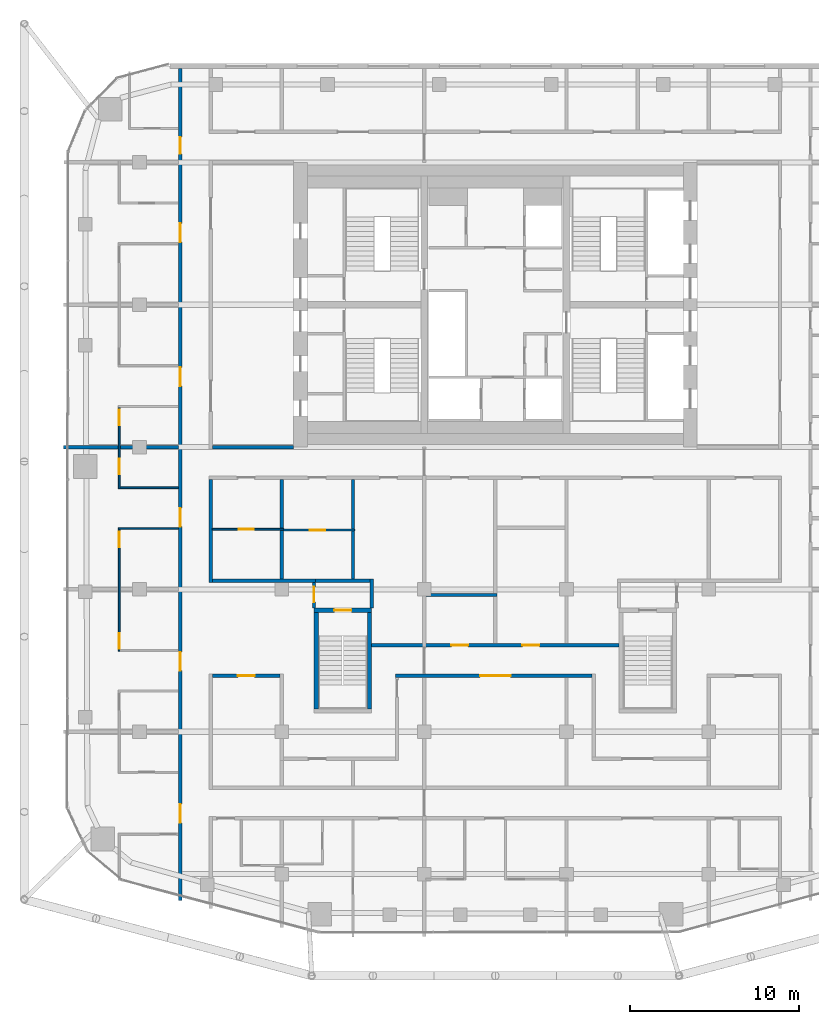
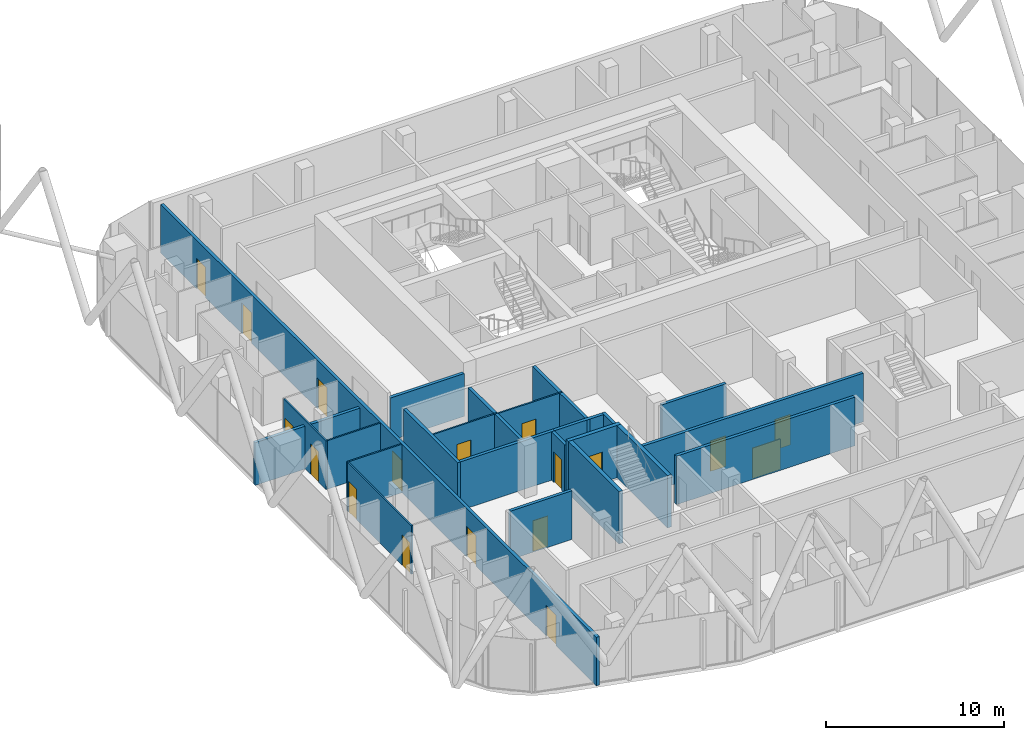
# One storey, part 21 of 28: 23 walls, 18 doors, 18 openings.
"""IFC4 building model written with IfcOpenShell, lengths in metres."""

from ifc_helpers import new_model, si_unit, direction, frame, frame_2d, origin, place, context, subcontext, project, spatial, rectangle, extrude, material, layer, layer_set, type_object, element, fill, save


model = new_model("IFC4")

# Units and contexts
model_context = context("Model", 3, precision=1e-05, world=origin(), true_north=direction((0.0, 1.0)))
body_context = subcontext(model_context, "Body", "Model", "MODEL_VIEW")
ifc_project = project(units=[si_unit("LENGTHUNIT", "METRE"), si_unit("AREAUNIT", "SQUARE_METRE"), si_unit("VOLUMEUNIT", "CUBIC_METRE"), si_unit("PLANEANGLEUNIT", "RADIAN"), si_unit("MASSUNIT", "GRAM", prefix="KILO")], contexts=[model_context])

# Site, building, storey
site_placement = place(None, origin())
site = spatial("IfcSite", under=ifc_project, at=site_placement, CompositionType="ELEMENT")
building_placement = place(site_placement, origin())
building = spatial("IfcBuilding", under=site, at=building_placement, Name="Marenta Gate Hotel Tower", CompositionType="ELEMENT")
storey_placement = place(building_placement, frame((0.0, 0.0, 241.699951171875)))
storey = spatial("IfcBuildingStorey", under=building, at=storey_placement, Name="L57", CompositionType="ELEMENT", Elevation=241.699951171875)

# Wall
ifc_material_1 = material(Name="Concrete blockwork", Category="masonry")
ifc_layer_1 = layer(ifc_material_1, 0.199951171875)
ifc_layer_set_1 = layer_set([ifc_layer_1], Name="Concrete blockwork")
wall_type_1 = type_object("IfcWallType", Name="Core boundary wall 200 REI 180", PredefinedType="PARTITIONING", material=ifc_layer_set_1)
wall_1_placement = place(storey_placement, frame((-16.699951171875, 0.0, 0.0), z_axis=(0.0, 0.0, 1.0), x_axis=(1.0, 0.0, 0.0)))
element("IfcWall", 1, at=wall_1_placement, inside=storey, type_object=wall_type_1, Name="L57-CP-EW-WS", PredefinedType="PARTITIONING", context=body_context, shape_type="SweptSolid", body=[
    extrude(rectangle(XDim=4.800048828125, YDim=0.199951171875, at=frame_2d((2.39990234375, 0.0))), origin(), (0.0, 0.0, 1.0), 2.93994140625),
])

# Wall, opening, door
ifc_material_2 = material(Name="Concrete C40", Category="concrete")
ifc_layer_2 = layer(ifc_material_2, 0.25)
ifc_layer_set_2 = layer_set([ifc_layer_2], Name="Concrete C40")
wall_type_2 = type_object("IfcWallType", Name="Remote stair enclosure wall 250 REI 180", PredefinedType="SHEAR", material=ifc_layer_set_2)
wall_2_placement = place(storey_placement, frame((-10.699951171875, -9.625, 0.10009765625), z_axis=(0.0, 0.0, 1.0), x_axis=(1.0, 0.0, 0.0)))
wall_2 = element("IfcWall", 2, at=wall_2_placement, inside=storey, type_object=wall_type_2, Name="L57-RS-Z3-1-W2", PredefinedType="SHEAR", context=body_context, shape_type="SweptSolid", body=[
    extrude(rectangle(XDim=3.39990234375, YDim=0.25, at=frame_2d((1.699951171875, 0.0))), origin(), (0.0, 0.0, 1.0), 3.599853515625),
])
opening_1_placement = place(wall_2_placement, frame((1.199951171875, 0.0, 0.0)))
opening_1 = element("IfcOpeningElement", 3, at=opening_1_placement, cuts=wall_2, Name="Opening VD", PredefinedType="OPENING", context=body_context, shape_type="SweptSolid", body=[
    extrude(rectangle(XDim=1.0, YDim=2.10009765625, at=frame_2d((0.5, 1.050048828125))), frame((0.0, 0.125, 0.0), z_axis=(0.0, -1.0, 0.0), x_axis=(1.0, 0.0, 0.0)), (0.0, 0.0, 1.0), 0.25),
])
ifc_material_3 = material(Name="Steel", Category="steel")
door_type_1 = type_object("IfcDoorType", Name="Stair vestibule door 1000x2100 FD60", OperationType="SINGLE_SWING_LEFT", PredefinedType="DOOR", material=ifc_material_3)
door_1_placement = place(opening_1_placement, origin())
door_1 = element("IfcDoor", 4, at=door_1_placement, inside=storey, type_object=door_type_1, Name="VD", OperationType="SINGLE_SWING_LEFT", OverallHeight=2.10009765625, OverallWidth=1.0, PredefinedType="DOOR", context=body_context, shape_type="SweptSolid", body=[
    extrude(rectangle(XDim=1.0, YDim=2.10009765625, at=frame_2d((0.5, 1.050048828125))), frame((0.0, 0.02490234375, 0.0), z_axis=(0.0, -1.0, 0.0), x_axis=(1.0, 0.0, 0.0)), (0.0, 0.0, 1.0), 0.050048828125),
])
fill(opening_1, door_1)

# Walls
for number, where, z_axis, x_axis, name in (
    (5, (-10.574951171875, -15.449951171875, 0.10009765625), (0.0, 0.0, 1.0), (0.0, 1.0, 0.0), "L57-RS-Z3-1-W3"),
    (6, (-7.425048828125, -15.449951171875, 0.10009765625), (0.0, 0.0, 1.0), (0.0, 1.0, 0.0), "L57-RS-Z3-1-W4"),
):
    element("IfcWall", number, at=place(storey_placement, frame(where, z_axis=z_axis, x_axis=x_axis)), inside=storey, type_object=wall_type_2, Name=name, PredefinedType="SHEAR", context=body_context, shape_type="SweptSolid", body=[
        extrude(rectangle(XDim=5.699951171875, YDim=0.25, at=frame_2d((2.85009765625, 0.0))), origin(), (0.0, 0.0, 1.0), 3.599853515625),
    ])
ifc_material_4 = material(Name="Concrete blockwork", Category="masonry")
ifc_layer_3 = layer(ifc_material_4, 0.199951171875)
ifc_layer_set_3 = layer_set([ifc_layer_3], Name="Concrete blockwork")
wall_type_3 = type_object("IfcWallType", Name="Room corridor wall 200 EI 120", PredefinedType="PARTITIONING", material=ifc_layer_set_3)
wall_3_placement = place(storey_placement, frame((-16.699951171875, -7.89990234375, 0.0), z_axis=(0.0, 0.0, 1.0), x_axis=(1.0, 0.0, 0.0)))
element("IfcWall", 7, at=wall_3_placement, inside=storey, type_object=wall_type_3, Name="L57-PTN-W043", PredefinedType="PARTITIONING", context=body_context, shape_type="SweptSolid", body=[
    extrude(rectangle(XDim=6.099853515625, YDim=0.199951171875, at=frame_2d((3.0498046875, 0.0))), origin(), (0.0, 0.0, 1.0), 3.340087890625),
])

# Wall, opening, door
ifc_material_5 = material(Name="Gypsum board on steel stud", Category="steel")
ifc_layer_4 = layer(ifc_material_5, 0.199951171875)
ifc_layer_set_4 = layer_set([ifc_layer_4], Name="Gypsum board on steel stud")
wall_type_4 = type_object("IfcWallType", Name="Room corridor wall 200 EI 60", PredefinedType="PARTITIONING", material=ifc_layer_set_4)
wall_4_placement = place(storey_placement, frame((-16.699951171875, -13.5, 0.0), z_axis=(0.0, 0.0, 1.0), x_axis=(1.0, 0.0, 0.0)))
wall_4 = element("IfcWall", 8, at=wall_4_placement, inside=storey, type_object=wall_type_4, Name="L57-PTN-W028", PredefinedType="PARTITIONING", context=body_context, shape_type="SweptSolid", body=[
    extrude(rectangle(XDim=4.0, YDim=0.199951171875, at=frame_2d((2.0, 0.0))), origin(), (0.0, 0.0, 1.0), 3.340087890625),
])
opening_2_placement = place(wall_4_placement, frame((1.5, 0.0, 0.0)))
opening_2 = element("IfcOpeningElement", 9, at=opening_2_placement, cuts=wall_4, Name="Opening G21-08", PredefinedType="OPENING", context=body_context, shape_type="SweptSolid", body=[
    extrude(rectangle(XDim=1.0, YDim=2.10009765625, at=frame_2d((0.5, 1.050048828125))), frame((0.0, 0.10009765625, 0.0), z_axis=(0.0, -1.0, 0.0), x_axis=(1.0, 0.0, 0.0)), (0.0, 0.0, 1.0), 0.199951171875),
])
ifc_material_6 = material(Name="Timber door leaf", Category="wood")
door_type_2 = type_object("IfcDoorType", Name="Room amenity door 1000x2100 EI 30", OperationType="NOTDEFINED", PredefinedType="DOOR", material=ifc_material_6)
door_2_placement = place(opening_2_placement, origin())
door_2 = element("IfcDoor", 10, at=door_2_placement, inside=storey, type_object=door_type_2, Name="L57-PD-D008", OperationType="SINGLE_SWING_RIGHT", OverallHeight=2.10009765625, OverallWidth=1.0, PredefinedType="DOOR", context=body_context, shape_type="SweptSolid", body=[
    extrude(rectangle(XDim=1.0, YDim=2.10009765625, at=frame_2d((0.5, 1.050048828125))), frame((0.0, 0.02490234375, 0.0), z_axis=(0.0, -1.0, 0.0), x_axis=(1.0, 0.0, 0.0)), (0.0, 0.0, 1.0), 0.050048828125),
])
fill(opening_2, door_2)

wall_5_placement = place(storey_placement, frame((-5.89990234375, -13.5, 0.0), z_axis=(0.0, 0.0, 1.0), x_axis=(1.0, 0.0, 0.0)))
wall_5 = element("IfcWall", 11, at=wall_5_placement, inside=storey, type_object=wall_type_4, Name="L57-PTN-W029", PredefinedType="PARTITIONING", context=body_context, shape_type="SweptSolid", body=[
    extrude(rectangle(XDim=11.599853515625, YDim=0.199951171875, at=frame_2d((5.7998046875, 0.0))), origin(), (0.0, 0.0, 1.0), 3.340087890625),
])
opening_3_placement = place(wall_5_placement, frame((5.0, 0.0, 0.0)))
opening_3 = element("IfcOpeningElement", 12, at=opening_3_placement, cuts=wall_5, Name="Opening G21-11", PredefinedType="OPENING", context=body_context, shape_type="SweptSolid", body=[
    extrude(rectangle(XDim=1.800048828125, YDim=2.10009765625, at=frame_2d((0.89990234375, 1.050048828125))), frame((0.0, 0.10009765625, 0.0), z_axis=(0.0, -1.0, 0.0), x_axis=(1.0, 0.0, 0.0)), (0.0, 0.0, 1.0), 0.199951171875),
])
ifc_material_7 = material(Name="Timber door leaf", Category="wood")
door_type_3 = type_object("IfcDoorType", Name="Room amenity door 1800x2100 EI 30", OperationType="DOUBLE_DOOR_SINGLE_SWING", PredefinedType="DOOR", material=ifc_material_7)
door_3_placement = place(opening_3_placement, origin())
door_3 = element("IfcDoor", 13, at=door_3_placement, inside=storey, type_object=door_type_3, Name="L57-PD-D011", OperationType="DOUBLE_DOOR_SINGLE_SWING", OverallHeight=2.10009765625, OverallWidth=1.800048828125, PredefinedType="DOOR", context=body_context, shape_type="SweptSolid", body=[
    extrude(rectangle(XDim=1.800048828125, YDim=2.10009765625, at=frame_2d((0.89990234375, 1.050048828125))), frame((0.0, 0.02490234375, 0.0), z_axis=(0.0, -1.0, 0.0), x_axis=(1.0, 0.0, 0.0)), (0.0, 0.0, 1.0), 0.050048828125),
])
fill(opening_3, door_3)

# Wall, openings, doors
wall_6_placement = place(storey_placement, frame((-7.300048828125, -11.699951171875, 0.0), z_axis=(0.0, 0.0, 1.0), x_axis=(1.0, 0.0, 0.0)))
wall_6 = element("IfcWall", 14, at=wall_6_placement, inside=storey, type_object=wall_type_4, Name="L57-PTN-W037", PredefinedType="PARTITIONING", context=body_context, shape_type="SweptSolid", body=[
    extrude(rectangle(XDim=14.60009765625, YDim=0.199951171875, at=frame_2d((7.300048828125, 0.0))), origin(), (0.0, 0.0, 1.0), 3.340087890625),
])
opening_4_placement = place(wall_6_placement, frame((4.699951171875, 0.0, 0.0)))
opening_4 = element("IfcOpeningElement", 15, at=opening_4_placement, cuts=wall_6, Name="Opening G21-63", PredefinedType="OPENING", context=body_context, shape_type="SweptSolid", body=[
    extrude(rectangle(XDim=1.0, YDim=2.10009765625, at=frame_2d((0.5, 1.050048828125))), frame((0.0, 0.10009765625, 0.0), z_axis=(0.0, -1.0, 0.0), x_axis=(1.0, 0.0, 0.0)), (0.0, 0.0, 1.0), 0.199951171875),
])
opening_5_placement = place(wall_6_placement, frame((8.89990234375, 0.0, 0.0)))
opening_5 = element("IfcOpeningElement", 16, at=opening_5_placement, cuts=wall_6, Name="Opening G21-67", PredefinedType="OPENING", context=body_context, shape_type="SweptSolid", body=[
    extrude(rectangle(XDim=1.0, YDim=2.10009765625, at=frame_2d((0.5, 1.050048828125))), frame((0.0, 0.10009765625, 0.0), z_axis=(0.0, -1.0, 0.0), x_axis=(1.0, 0.0, 0.0)), (0.0, 0.0, 1.0), 0.199951171875),
])
door_4_placement = place(opening_4_placement, origin())
door_4 = element("IfcDoor", 17, at=door_4_placement, inside=storey, type_object=door_type_2, Name="L57-PD-D063", OperationType="SINGLE_SWING_LEFT", OverallHeight=2.10009765625, OverallWidth=1.0, PredefinedType="DOOR", context=body_context, shape_type="SweptSolid", body=[
    extrude(rectangle(XDim=1.0, YDim=2.10009765625, at=frame_2d((0.5, 1.050048828125))), frame((0.0, 0.02490234375, 0.0), z_axis=(0.0, -1.0, 0.0), x_axis=(1.0, 0.0, 0.0)), (0.0, 0.0, 1.0), 0.050048828125),
])
fill(opening_4, door_4)
door_5_placement = place(opening_5_placement, origin())
door_5 = element("IfcDoor", 18, at=door_5_placement, inside=storey, type_object=door_type_2, Name="L57-PD-D067", OperationType="SINGLE_SWING_LEFT", OverallHeight=2.10009765625, OverallWidth=1.0, PredefinedType="DOOR", context=body_context, shape_type="SweptSolid", body=[
    extrude(rectangle(XDim=1.0, YDim=2.10009765625, at=frame_2d((0.5, 1.050048828125))), frame((0.0, 0.02490234375, 0.0), z_axis=(0.0, -1.0, 0.0), x_axis=(1.0, 0.0, 0.0)), (0.0, 0.0, 1.0), 0.050048828125),
])
fill(opening_5, door_5)

# Wall
wall_7_placement = place(storey_placement, frame((-16.800048828125, -8.0, 0.0), z_axis=(0.0, 0.0, 1.0), x_axis=(0.0, 1.0, 0.0)))
element("IfcWall", 19, at=wall_7_placement, inside=storey, type_object=wall_type_4, Name="L57-PTN-W097", PredefinedType="PARTITIONING", context=body_context, shape_type="SweptSolid", body=[
    extrude(rectangle(XDim=6.10009765625, YDim=0.199951171875, at=frame_2d((3.050048828125, 0.0))), origin(), (0.0, 0.0, 1.0), 3.340087890625),
])

# Wall, openings, doors
wall_8_placement = place(storey_placement, frame((-18.60009765625, -26.7509765625, 0.0), z_axis=(0.0, 0.0, 1.0), x_axis=(0.0, 1.0, 0.0)))
wall_8 = element("IfcWall", 20, at=wall_8_placement, inside=storey, type_object=wall_type_4, Name="L57-PTN-W101", PredefinedType="PARTITIONING", context=body_context, shape_type="SweptSolid", body=[
    extrude(rectangle(XDim=49.091064453125, YDim=0.199951171875, at=frame_2d((24.54541015625, 0.0))), origin(), (0.0, 0.0, 1.0), 3.340087890625),
])
opening_6_placement = place(wall_8_placement, frame((4.575927734375, 0.0, 0.0)))
opening_6 = element("IfcOpeningElement", 21, at=opening_6_placement, cuts=wall_8, Name="Opening G21-44", PredefinedType="OPENING", context=body_context, shape_type="SweptSolid", body=[
    extrude(rectangle(XDim=1.10009765625, YDim=2.10009765625, at=frame_2d((0.550048828125, 1.050048828125))), frame((0.0, 0.10009765625, 0.0), z_axis=(0.0, -1.0, 0.0), x_axis=(1.0, 0.0, 0.0)), (0.0, 0.0, 1.0), 0.199951171875),
])
opening_7_placement = place(wall_8_placement, frame((13.551025390625, 0.0, 0.0)))
opening_7 = element("IfcOpeningElement", 22, at=opening_7_placement, cuts=wall_8, Name="Opening G21-47", PredefinedType="OPENING", context=body_context, shape_type="SweptSolid", body=[
    extrude(rectangle(XDim=1.10009765625, YDim=2.10009765625, at=frame_2d((0.550048828125, 1.050048828125))), frame((0.0, 0.10009765625, 0.0), z_axis=(0.0, -1.0, 0.0), x_axis=(1.0, 0.0, 0.0)), (0.0, 0.0, 1.0), 0.199951171875),
])
opening_8_placement = place(wall_8_placement, frame((22.051025390625, 0.0, 0.0)))
opening_8 = element("IfcOpeningElement", 23, at=opening_8_placement, cuts=wall_8, Name="Opening G21-50", PredefinedType="OPENING", context=body_context, shape_type="SweptSolid", body=[
    extrude(rectangle(XDim=1.10009765625, YDim=2.10009765625, at=frame_2d((0.550048828125, 1.050048828125))), frame((0.0, 0.10009765625, 0.0), z_axis=(0.0, -1.0, 0.0), x_axis=(1.0, 0.0, 0.0)), (0.0, 0.0, 1.0), 0.199951171875),
])
opening_9_placement = place(wall_8_placement, frame((30.35107421875, 0.0, 0.0)))
opening_9 = element("IfcOpeningElement", 24, at=opening_9_placement, cuts=wall_8, Name="Opening G21-53", PredefinedType="OPENING", context=body_context, shape_type="SweptSolid", body=[
    extrude(rectangle(XDim=1.10009765625, YDim=2.10009765625, at=frame_2d((0.550048828125, 1.050048828125))), frame((0.0, 0.10009765625, 0.0), z_axis=(0.0, -1.0, 0.0), x_axis=(1.0, 0.0, 0.0)), (0.0, 0.0, 1.0), 0.199951171875),
])
opening_10_placement = place(wall_8_placement, frame((38.85107421875, 0.0, 0.0)))
opening_10 = element("IfcOpeningElement", 25, at=opening_10_placement, cuts=wall_8, Name="Opening G21-56", PredefinedType="OPENING", context=body_context, shape_type="SweptSolid", body=[
    extrude(rectangle(XDim=1.10009765625, YDim=2.10009765625, at=frame_2d((0.550048828125, 1.050048828125))), frame((0.0, 0.10009765625, 0.0), z_axis=(0.0, -1.0, 0.0), x_axis=(1.0, 0.0, 0.0)), (0.0, 0.0, 1.0), 0.199951171875),
])
opening_11_placement = place(wall_8_placement, frame((44.051025390625, 0.0, 0.0)))
opening_11 = element("IfcOpeningElement", 26, at=opening_11_placement, cuts=wall_8, Name="Opening G21-59", PredefinedType="OPENING", context=body_context, shape_type="SweptSolid", body=[
    extrude(rectangle(XDim=1.0, YDim=2.10009765625, at=frame_2d((0.5, 1.050048828125))), frame((0.0, 0.10009765625, 0.0), z_axis=(0.0, -1.0, 0.0), x_axis=(1.0, 0.0, 0.0)), (0.0, 0.0, 1.0), 0.199951171875),
])
ifc_material_8 = material(Name="Timber door leaf", Category="wood")
door_type_4 = type_object("IfcDoorType", Name="Guest room door 1000x2100 EI 30", OperationType="NOTDEFINED", PredefinedType="DOOR", material=ifc_material_8)
door_6_placement = place(opening_11_placement, origin())
door_6 = element("IfcDoor", 27, at=door_6_placement, inside=storey, type_object=door_type_4, Name="L57-PD-D059", OperationType="SINGLE_SWING_RIGHT", OverallHeight=2.10009765625, OverallWidth=1.0, PredefinedType="DOOR", context=body_context, shape_type="SweptSolid", body=[
    extrude(rectangle(XDim=1.0, YDim=2.10009765625, at=frame_2d((0.5, 1.050048828125))), frame((0.0, 0.02490234375, 0.0), z_axis=(0.0, -1.0, 0.0), x_axis=(1.0, 0.0, 0.0)), (0.0, 0.0, 1.0), 0.050048828125),
])
fill(opening_11, door_6)
ifc_material_9 = material(Name="Timber door leaf", Category="wood")
door_type_5 = type_object("IfcDoorType", Name="Guest room door 1100x2100 EI 30", OperationType="NOTDEFINED", PredefinedType="DOOR", material=ifc_material_9)
door_7_placement = place(opening_6_placement, origin())
door_7 = element("IfcDoor", 28, at=door_7_placement, inside=storey, type_object=door_type_5, Name="L57-PD-D044", OperationType="SINGLE_SWING_LEFT", OverallHeight=2.10009765625, OverallWidth=1.10009765625, PredefinedType="DOOR", context=body_context, shape_type="SweptSolid", body=[
    extrude(rectangle(XDim=1.10009765625, YDim=2.10009765625, at=frame_2d((0.550048828125, 1.050048828125))), frame((0.0, 0.02490234375, 0.0), z_axis=(0.0, -1.0, 0.0), x_axis=(1.0, 0.0, 0.0)), (0.0, 0.0, 1.0), 0.050048828125),
])
fill(opening_6, door_7)
door_8_placement = place(opening_7_placement, origin())
door_8 = element("IfcDoor", 29, at=door_8_placement, inside=storey, type_object=door_type_5, Name="L57-PD-D047", OperationType="SINGLE_SWING_RIGHT", OverallHeight=2.10009765625, OverallWidth=1.10009765625, PredefinedType="DOOR", context=body_context, shape_type="SweptSolid", body=[
    extrude(rectangle(XDim=1.10009765625, YDim=2.10009765625, at=frame_2d((0.550048828125, 1.050048828125))), frame((0.0, 0.02490234375, 0.0), z_axis=(0.0, -1.0, 0.0), x_axis=(1.0, 0.0, 0.0)), (0.0, 0.0, 1.0), 0.050048828125),
])
fill(opening_7, door_8)
door_9_placement = place(opening_8_placement, origin())
door_9 = element("IfcDoor", 30, at=door_9_placement, inside=storey, type_object=door_type_5, Name="L57-PD-D050", OperationType="SINGLE_SWING_LEFT", OverallHeight=2.10009765625, OverallWidth=1.10009765625, PredefinedType="DOOR", context=body_context, shape_type="SweptSolid", body=[
    extrude(rectangle(XDim=1.10009765625, YDim=2.10009765625, at=frame_2d((0.550048828125, 1.050048828125))), frame((0.0, 0.02490234375, 0.0), z_axis=(0.0, -1.0, 0.0), x_axis=(1.0, 0.0, 0.0)), (0.0, 0.0, 1.0), 0.050048828125),
])
fill(opening_8, door_9)
door_10_placement = place(opening_9_placement, origin())
door_10 = element("IfcDoor", 31, at=door_10_placement, inside=storey, type_object=door_type_5, Name="L57-PD-D053", OperationType="SINGLE_SWING_RIGHT", OverallHeight=2.10009765625, OverallWidth=1.10009765625, PredefinedType="DOOR", context=body_context, shape_type="SweptSolid", body=[
    extrude(rectangle(XDim=1.10009765625, YDim=2.10009765625, at=frame_2d((0.550048828125, 1.050048828125))), frame((0.0, 0.02490234375, 0.0), z_axis=(0.0, -1.0, 0.0), x_axis=(1.0, 0.0, 0.0)), (0.0, 0.0, 1.0), 0.050048828125),
])
fill(opening_9, door_10)
door_11_placement = place(opening_10_placement, origin())
door_11 = element("IfcDoor", 32, at=door_11_placement, inside=storey, type_object=door_type_5, Name="L57-PD-D056", OperationType="SINGLE_SWING_LEFT", OverallHeight=2.10009765625, OverallWidth=1.10009765625, PredefinedType="DOOR", context=body_context, shape_type="SweptSolid", body=[
    extrude(rectangle(XDim=1.10009765625, YDim=2.10009765625, at=frame_2d((0.550048828125, 1.050048828125))), frame((0.0, 0.02490234375, 0.0), z_axis=(0.0, -1.0, 0.0), x_axis=(1.0, 0.0, 0.0)), (0.0, 0.0, 1.0), 0.050048828125),
])
fill(opening_10, door_11)

# Wall, opening, door
ifc_material_10 = material(Name="Concrete blockwork", Category="masonry")
ifc_layer_5 = layer(ifc_material_10, 0.199951171875)
ifc_layer_set_5 = layer_set([ifc_layer_5], Name="Concrete blockwork")
wall_type_5 = type_object("IfcWallType", Name="Room corridor wall 200 REI 180", PredefinedType="PARTITIONING", material=ifc_layer_set_5)
wall_9_placement = place(storey_placement, frame((-10.699951171875, -9.5, 0.0), z_axis=(0.0, 0.0, 1.0), x_axis=(0.0, 1.0, 0.0)))
wall_9 = element("IfcWall", 33, at=wall_9_placement, inside=storey, type_object=wall_type_5, Name="L57-PTN-W084", PredefinedType="PARTITIONING", context=body_context, shape_type="SweptSolid", body=[
    extrude(rectangle(XDim=1.5, YDim=0.199951171875, at=frame_2d((0.75, 0.0))), origin(), (0.0, 0.0, 1.0), 3.340087890625),
])
opening_12_placement = place(wall_9_placement, frame((0.35009765625, 0.0, 0.0)))
opening_12 = element("IfcOpeningElement", 34, at=opening_12_placement, cuts=wall_9, Name="Opening G21-61", PredefinedType="OPENING", context=body_context, shape_type="SweptSolid", body=[
    extrude(rectangle(XDim=0.89990234375, YDim=2.10009765625, at=frame_2d((0.449951171875, 1.050048828125))), frame((0.0, 0.10009765625, 0.0), z_axis=(0.0, -1.0, 0.0), x_axis=(1.0, 0.0, 0.0)), (0.0, 0.0, 1.0), 0.199951171875),
])
ifc_material_11 = material(Name="Hollow steel door set", Category="steel")
door_type_6 = type_object("IfcDoorType", Name="Stair vestibule door 900x2100 EI 60", OperationType="NOTDEFINED", PredefinedType="DOOR", material=ifc_material_11)
door_12_placement = place(opening_12_placement, origin())
door_12 = element("IfcDoor", 35, at=door_12_placement, inside=storey, type_object=door_type_6, Name="L57-PD-D061", OperationType="SINGLE_SWING_LEFT", OverallHeight=2.10009765625, OverallWidth=0.89990234375, PredefinedType="DOOR", context=body_context, shape_type="SweptSolid", body=[
    extrude(rectangle(XDim=0.89990234375, YDim=2.10009765625, at=frame_2d((0.449951171875, 1.050048828125))), frame((0.0, 0.02490234375, 0.0), z_axis=(0.0, -1.0, 0.0), x_axis=(1.0, 0.0, 0.0)), (0.0, 0.0, 1.0), 0.050048828125),
])
fill(opening_12, door_12)

ifc_material_12 = material(Name="Gypsum board on steel stud", Category="steel")
ifc_layer_6 = layer(ifc_material_12, 0.10009765625)
ifc_layer_set_6 = layer_set([ifc_layer_6], Name="Gypsum board on steel stud")
wall_type_6 = type_object("IfcWallType", Name="Room partition 100", PredefinedType="PARTITIONING", material=ifc_layer_set_6)
wall_10_placement = place(storey_placement, frame((-12.5, -4.89990234375, 0.0), z_axis=(0.0, 0.0, 1.0), x_axis=(1.0, 0.0, 0.0)))
wall_10 = element("IfcWall", 36, at=wall_10_placement, inside=storey, type_object=wall_type_6, Name="L57-PTN-W050", PredefinedType="PARTITIONING", context=body_context, shape_type="SweptSolid", body=[
    extrude(rectangle(XDim=4.199951171875, YDim=0.10009765625, at=frame_2d((2.10009765625, 0.0))), origin(), (0.0, 0.0, 1.0), 3.340087890625),
])
opening_13_placement = place(wall_10_placement, frame((1.550048828125, 0.0, 0.0)))
opening_13 = element("IfcOpeningElement", 37, at=opening_13_placement, cuts=wall_10, Name="Opening G21-04", PredefinedType="OPENING", context=body_context, shape_type="SweptSolid", body=[
    extrude(rectangle(XDim=0.89990234375, YDim=2.10009765625, at=frame_2d((0.449951171875, 1.050048828125))), frame((0.0, 0.050048828125, 0.0), z_axis=(0.0, -1.0, 0.0), x_axis=(1.0, 0.0, 0.0)), (0.0, 0.0, 1.0), 0.10009765625),
])
ifc_material_13 = material(Name="Timber door leaf", Category="wood")
door_type_7 = type_object("IfcDoorType", Name="Room inner door 900x2100", OperationType="NOTDEFINED", PredefinedType="DOOR", material=ifc_material_13)
door_13_placement = place(opening_13_placement, origin())
door_13 = element("IfcDoor", 38, at=door_13_placement, inside=storey, type_object=door_type_7, Name="L57-PD-D004", OperationType="SINGLE_SWING_RIGHT", OverallHeight=2.10009765625, OverallWidth=0.89990234375, PredefinedType="DOOR", context=body_context, shape_type="SweptSolid", body=[
    extrude(rectangle(XDim=0.89990234375, YDim=2.10009765625, at=frame_2d((0.449951171875, 1.050048828125))), frame((0.0, 0.02490234375, 0.0), z_axis=(0.0, -1.0, 0.0), x_axis=(1.0, 0.0, 0.0)), (0.0, 0.0, 1.0), 0.050048828125),
])
fill(opening_13, door_13)

wall_11_placement = place(storey_placement, frame((-16.699951171875, -4.85009765625, 0.0), z_axis=(0.0, 0.0, 1.0), x_axis=(1.0, 0.0, 0.0)))
wall_11 = element("IfcWall", 39, at=wall_11_placement, inside=storey, type_object=wall_type_6, Name="L57-PTN-W051", PredefinedType="PARTITIONING", context=body_context, shape_type="SweptSolid", body=[
    extrude(rectangle(XDim=4.199951171875, YDim=0.10009765625, at=frame_2d((2.10009765625, 0.0))), origin(), (0.0, 0.0, 1.0), 3.340087890625),
])
opening_14_placement = place(wall_11_placement, frame((1.550048828125, 0.0, 0.0)))
opening_14 = element("IfcOpeningElement", 40, at=opening_14_placement, cuts=wall_11, Name="Opening G21-02", PredefinedType="OPENING", context=body_context, shape_type="SweptSolid", body=[
    extrude(rectangle(XDim=0.89990234375, YDim=2.10009765625, at=frame_2d((0.449951171875, 1.050048828125))), frame((0.0, 0.050048828125, 0.0), z_axis=(0.0, -1.0, 0.0), x_axis=(1.0, 0.0, 0.0)), (0.0, 0.0, 1.0), 0.10009765625),
])
door_14_placement = place(opening_14_placement, origin())
door_14 = element("IfcDoor", 41, at=door_14_placement, inside=storey, type_object=door_type_7, Name="L57-PD-D002", OperationType="SINGLE_SWING_RIGHT", OverallHeight=2.10009765625, OverallWidth=0.89990234375, PredefinedType="DOOR", context=body_context, shape_type="SweptSolid", body=[
    extrude(rectangle(XDim=0.89990234375, YDim=2.10009765625, at=frame_2d((0.449951171875, 1.050048828125))), frame((0.0, 0.02490234375, 0.0), z_axis=(0.0, -1.0, 0.0), x_axis=(1.0, 0.0, 0.0)), (0.0, 0.0, 1.0), 0.050048828125),
])
fill(opening_14, door_14)

# Walls
wall_12_placement = place(storey_placement, frame((-22.25, -4.800048828125, 0.0), z_axis=(0.0, 0.0, 1.0), x_axis=(1.0, 0.0, 0.0)))
element("IfcWall", 42, at=wall_12_placement, inside=storey, type_object=wall_type_6, Name="L57-PTN-W052", PredefinedType="PARTITIONING", context=body_context, shape_type="SweptSolid", body=[
    extrude(rectangle(XDim=3.550048828125, YDim=0.10009765625, at=frame_2d((1.77490234375, 0.0))), origin(), (0.0, 0.0, 1.0), 3.340087890625),
])
wall_13_placement = place(storey_placement, frame((-22.14990234375, -2.39990234375, 0.0), z_axis=(0.0, 0.0, 1.0), x_axis=(1.0, 0.0, 0.0)))
element("IfcWall", 43, at=wall_13_placement, inside=storey, type_object=wall_type_6, Name="L57-PTN-W059", PredefinedType="PARTITIONING", context=body_context, shape_type="SweptSolid", body=[
    extrude(rectangle(XDim=3.449951171875, YDim=0.10009765625, at=frame_2d((1.72509765625, 0.0))), origin(), (0.0, 0.0, 1.0), 3.340087890625),
])

# Wall, openings, doors
wall_14_placement = place(storey_placement, frame((-22.199951171875, -12.050048828125, 0.0), z_axis=(0.0, 0.0, 1.0), x_axis=(0.0, 1.0, 0.0)))
wall_14 = element("IfcWall", 44, at=wall_14_placement, inside=storey, type_object=wall_type_6, Name="L57-PTN-W108", PredefinedType="PARTITIONING", context=body_context, shape_type="SweptSolid", body=[
    extrude(rectangle(XDim=7.199951171875, YDim=0.10009765625, at=frame_2d((3.60009765625, 0.0))), origin(), (0.0, 0.0, 1.0), 3.340087890625),
])
opening_15_placement = place(wall_14_placement, frame((0.14990234375, 0.0, 0.0)))
opening_15 = element("IfcOpeningElement", 45, at=opening_15_placement, cuts=wall_14, Name="Opening G21-48", PredefinedType="OPENING", context=body_context, shape_type="SweptSolid", body=[
    extrude(rectangle(XDim=0.89990234375, YDim=2.10009765625, at=frame_2d((0.449951171875, 1.050048828125))), frame((0.0, 0.050048828125, 0.0), z_axis=(0.0, -1.0, 0.0), x_axis=(1.0, 0.0, 0.0)), (0.0, 0.0, 1.0), 0.10009765625),
])
opening_16_placement = place(wall_14_placement, frame((6.14990234375, 0.0, 0.0)))
opening_16 = element("IfcOpeningElement", 46, at=opening_16_placement, cuts=wall_14, Name="Opening G21-51", PredefinedType="OPENING", context=body_context, shape_type="SweptSolid", body=[
    extrude(rectangle(XDim=0.89990234375, YDim=2.10009765625, at=frame_2d((0.449951171875, 1.050048828125))), frame((0.0, 0.050048828125, 0.0), z_axis=(0.0, -1.0, 0.0), x_axis=(1.0, 0.0, 0.0)), (0.0, 0.0, 1.0), 0.10009765625),
])
ifc_material_14 = material(Name="Timber door leaf", Category="wood")
door_type_8 = type_object("IfcDoorType", Name="Guest bathroom door 900x2100", OperationType="NOTDEFINED", PredefinedType="DOOR", material=ifc_material_14)
door_15_placement = place(opening_15_placement, origin())
door_15 = element("IfcDoor", 47, at=door_15_placement, inside=storey, type_object=door_type_8, Name="L57-PD-D048", OperationType="SINGLE_SWING_RIGHT", OverallHeight=2.10009765625, OverallWidth=0.89990234375, PredefinedType="DOOR", context=body_context, shape_type="SweptSolid", body=[
    extrude(rectangle(XDim=0.89990234375, YDim=2.10009765625, at=frame_2d((0.449951171875, 1.050048828125))), frame((0.0, 0.02490234375, 0.0), z_axis=(0.0, -1.0, 0.0), x_axis=(1.0, 0.0, 0.0)), (0.0, 0.0, 1.0), 0.050048828125),
])
fill(opening_15, door_15)
door_16_placement = place(opening_16_placement, origin())
door_16 = element("IfcDoor", 48, at=door_16_placement, inside=storey, type_object=door_type_8, Name="L57-PD-D051", OperationType="SINGLE_SWING_LEFT", OverallHeight=2.10009765625, OverallWidth=0.89990234375, PredefinedType="DOOR", context=body_context, shape_type="SweptSolid", body=[
    extrude(rectangle(XDim=0.89990234375, YDim=2.10009765625, at=frame_2d((0.449951171875, 1.050048828125))), frame((0.0, 0.02490234375, 0.0), z_axis=(0.0, -1.0, 0.0), x_axis=(1.0, 0.0, 0.0)), (0.0, 0.0, 1.0), 0.050048828125),
])
fill(opening_16, door_16)

wall_15_placement = place(storey_placement, frame((-22.199951171875, -2.449951171875, 0.0), z_axis=(0.0, 0.0, 1.0), x_axis=(0.0, 1.0, 0.0)))
wall_15 = element("IfcWall", 49, at=wall_15_placement, inside=storey, type_object=wall_type_6, Name="L57-PTN-W109", PredefinedType="PARTITIONING", context=body_context, shape_type="SweptSolid", body=[
    extrude(rectangle(XDim=4.800048828125, YDim=0.10009765625, at=frame_2d((2.39990234375, 0.0))), origin(), (0.0, 0.0, 1.0), 3.340087890625),
])
opening_17_placement = place(wall_15_placement, frame((0.85009765625, 0.0, 0.0)))
opening_17 = element("IfcOpeningElement", 50, at=opening_17_placement, cuts=wall_15, Name="Opening G21-52", PredefinedType="OPENING", context=body_context, shape_type="SweptSolid", body=[
    extrude(rectangle(XDim=0.89990234375, YDim=2.10009765625, at=frame_2d((0.449951171875, 1.050048828125))), frame((0.0, 0.050048828125, 0.0), z_axis=(0.0, -1.0, 0.0), x_axis=(1.0, 0.0, 0.0)), (0.0, 0.0, 1.0), 0.10009765625),
])
opening_18_placement = place(wall_15_placement, frame((3.75, 0.0, 0.0)))
opening_18 = element("IfcOpeningElement", 51, at=opening_18_placement, cuts=wall_15, Name="Opening G21-55", PredefinedType="OPENING", context=body_context, shape_type="SweptSolid", body=[
    extrude(rectangle(XDim=0.89990234375, YDim=2.10009765625, at=frame_2d((0.449951171875, 1.050048828125))), frame((0.0, 0.050048828125, 0.0), z_axis=(0.0, -1.0, 0.0), x_axis=(1.0, 0.0, 0.0)), (0.0, 0.0, 1.0), 0.10009765625),
])
door_17_placement = place(opening_17_placement, origin())
door_17 = element("IfcDoor", 52, at=door_17_placement, inside=storey, type_object=door_type_7, Name="L57-PD-D052", OperationType="SINGLE_SWING_LEFT", OverallHeight=2.10009765625, OverallWidth=0.89990234375, PredefinedType="DOOR", context=body_context, shape_type="SweptSolid", body=[
    extrude(rectangle(XDim=0.89990234375, YDim=2.10009765625, at=frame_2d((0.449951171875, 1.050048828125))), frame((0.0, 0.02490234375, 0.0), z_axis=(0.0, -1.0, 0.0), x_axis=(1.0, 0.0, 0.0)), (0.0, 0.0, 1.0), 0.050048828125),
])
fill(opening_17, door_17)
door_18_placement = place(opening_18_placement, origin())
door_18 = element("IfcDoor", 53, at=door_18_placement, inside=storey, type_object=door_type_7, Name="L57-PD-D055", OperationType="SINGLE_SWING_LEFT", OverallHeight=2.10009765625, OverallWidth=0.89990234375, PredefinedType="DOOR", context=body_context, shape_type="SweptSolid", body=[
    extrude(rectangle(XDim=0.89990234375, YDim=2.10009765625, at=frame_2d((0.449951171875, 1.050048828125))), frame((0.0, 0.02490234375, 0.0), z_axis=(0.0, -1.0, 0.0), x_axis=(1.0, 0.0, 0.0)), (0.0, 0.0, 1.0), 0.050048828125),
])
fill(opening_18, door_18)

# Walls
ifc_material_15 = material(Name="Concrete blockwork", Category="masonry")
ifc_layer_7 = layer(ifc_material_15, 0.199951171875)
ifc_layer_set_7 = layer_set([ifc_layer_7], Name="Concrete blockwork")
wall_type_7 = type_object("IfcWallType", Name="Room party wall 200 EI 120", PredefinedType="PARTITIONING", material=ifc_layer_set_7)
wall_16_placement = place(storey_placement, frame((-8.39990234375, -8.0, 0.0), z_axis=(0.0, 0.0, 1.0), x_axis=(0.0, 1.0, 0.0)))
element("IfcWall", 54, at=wall_16_placement, inside=storey, type_object=wall_type_7, Name="L57-PTN-W080", PredefinedType="PARTITIONING", context=body_context, shape_type="SweptSolid", body=[
    extrude(rectangle(XDim=6.10009765625, YDim=0.199951171875, at=frame_2d((3.050048828125, 0.0))), origin(), (0.0, 0.0, 1.0), 3.340087890625),
])
wall_17_placement = place(storey_placement, frame((-12.60009765625, -7.800048828125, 0.0), z_axis=(0.0, 0.0, 1.0), x_axis=(0.0, 1.0, 0.0)))
element("IfcWall", 55, at=wall_17_placement, inside=storey, type_object=wall_type_7, Name="L57-PTN-W089", PredefinedType="PARTITIONING", context=body_context, shape_type="SweptSolid", body=[
    extrude(rectangle(XDim=5.900146484375, YDim=0.199951171875, at=frame_2d((2.9501953125, 0.0))), origin(), (0.0, 0.0, 1.0), 3.340087890625),
])
ifc_material_16 = material(Name="Gypsum board on steel stud", Category="steel")
ifc_layer_8 = layer(ifc_material_16, 0.199951171875)
ifc_layer_set_8 = layer_set([ifc_layer_8], Name="Gypsum board on steel stud")
wall_type_8 = type_object("IfcWallType", Name="Room party wall 200 EI 60", PredefinedType="PARTITIONING", material=ifc_layer_set_8)
wall_18_placement = place(storey_placement, frame((-4.10009765625, -8.72998046875, 0.0), z_axis=(0.0, 0.0, 1.0), x_axis=(1.0, 0.0, 0.0)))
element("IfcWall", 56, at=wall_18_placement, inside=storey, type_object=wall_type_8, Name="L57-PTN-W039", PredefinedType="PARTITIONING", context=body_context, shape_type="SweptSolid", body=[
    extrude(rectangle(XDim=4.2001953125, YDim=0.199951171875, at=frame_2d((2.10009765625, 0.0))), origin(), (0.0, 0.0, 1.0), 3.340087890625),
])
wall_19_placement = place(storey_placement, frame((-25.5, 0.0, 0.0), z_axis=(0.0, 0.0, 1.0), x_axis=(1.0, 0.0, 0.0)))
element("IfcWall", 57, at=wall_19_placement, inside=storey, type_object=wall_type_8, Name="L57-PTN-W064", PredefinedType="PARTITIONING", context=body_context, shape_type="SweptSolid", body=[
    extrude(rectangle(XDim=6.800048828125, YDim=0.199951171875, at=frame_2d((3.39990234375, 0.0))), origin(), (0.0, 0.0, 1.0), 2.93994140625),
])
ifc_material_17 = material(Name="Concrete blockwork", Category="masonry")
ifc_layer_9 = layer(ifc_material_17, 0.199951171875)
ifc_layer_set_9 = layer_set([ifc_layer_9], Name="Concrete blockwork")
wall_type_9 = type_object("IfcWallType", Name="Room party wall 200 REI 180", PredefinedType="PARTITIONING", material=ifc_layer_set_9)
wall_20_placement = place(storey_placement, frame((-10.60009765625, -7.89990234375, 0.0), z_axis=(0.0, 0.0, 1.0), x_axis=(1.0, 0.0, 0.0)))
element("IfcWall", 58, at=wall_20_placement, inside=storey, type_object=wall_type_9, Name="L57-PTN-W045", PredefinedType="PARTITIONING", context=body_context, shape_type="SweptSolid", body=[
    extrude(rectangle(XDim=3.2001953125, YDim=0.199951171875, at=frame_2d((1.60009765625, 0.0))), origin(), (0.0, 0.0, 1.0), 3.340087890625),
])
wall_21_placement = place(storey_placement, frame((-7.300048828125, -9.5, 0.0), z_axis=(0.0, 0.0, 1.0), x_axis=(0.0, 1.0, 0.0)))
element("IfcWall", 59, at=wall_21_placement, inside=storey, type_object=wall_type_9, Name="L57-PTN-W077", PredefinedType="PARTITIONING", context=body_context, shape_type="SweptSolid", body=[
    extrude(rectangle(XDim=1.699951171875, YDim=0.199951171875, at=frame_2d((0.85009765625, 0.0))), origin(), (0.0, 0.0, 1.0), 3.340087890625),
])

save(model, "model.ifc")
